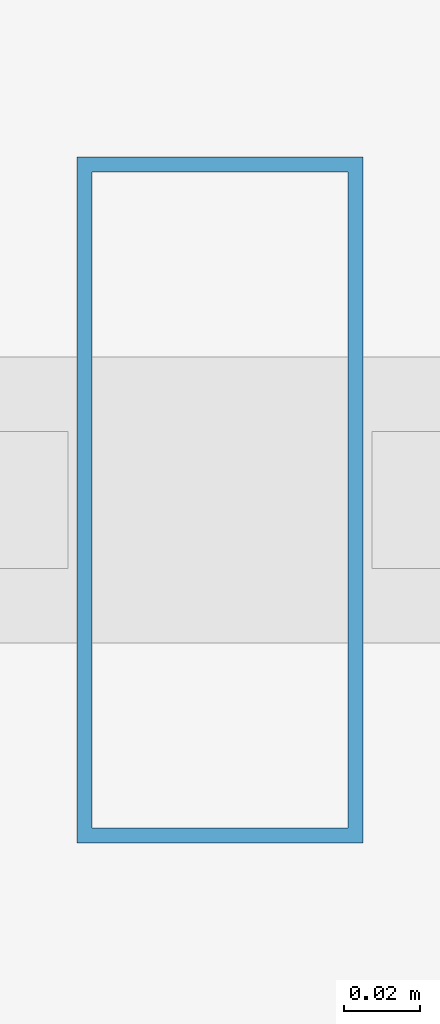
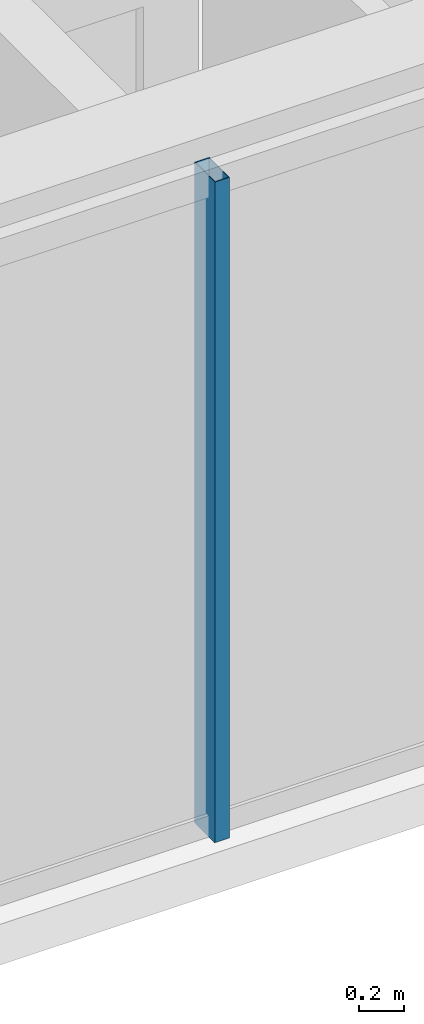
# One storey, part 3 of 32: 1 member, 1 element without a shape of its own.
"""IFC4 building model written with IfcOpenShell, lengths in metres."""

from ifc_helpers import new_model, si_unit, direction, frame, origin, origin_2d, place, context, subcontext, project, spatial, hollow_rectangle, extrude, material, layer, layer_set, material_profile, profile_set, type_object, element, aggregate, save


model = new_model("IFC4")

# Units and contexts
model_context = context("Model", 3, precision=1e-05, world=origin(), true_north=direction((0.0, 1.0)))
body_context = subcontext(model_context, "Body", "Model", "MODEL_VIEW")
ifc_project = project(units=[si_unit("LENGTHUNIT", "METRE"), si_unit("AREAUNIT", "SQUARE_METRE"), si_unit("VOLUMEUNIT", "CUBIC_METRE"), si_unit("PLANEANGLEUNIT", "RADIAN"), si_unit("MASSUNIT", "GRAM", prefix="KILO")], contexts=[model_context])

# Site, building, storey
site_placement = place(None, origin())
site = spatial("IfcSite", under=ifc_project, at=site_placement, CompositionType="ELEMENT")
building_placement = place(site_placement, origin())
building = spatial("IfcBuilding", under=site, at=building_placement, Name="Ndaravel Arena Tower", CompositionType="ELEMENT")
storey_placement = place(building_placement, frame((0.0, 0.0, 58.800048828125)))
storey = spatial("IfcBuildingStorey", under=building, at=storey_placement, Name="L12", CompositionType="ELEMENT", Elevation=58.800048828125)

# Curtain wall, member
ifc_material_1 = material(Name="Aluminium", Category="aluminium")
ifc_layer = layer(ifc_material_1, 0.179931640625)
ifc_layer_set = layer_set([ifc_layer], Name="Aluminium")
curtain_wall_type = type_object("IfcCurtainWallType", Name="CW-SYS-03", PredefinedType="NOTDEFINED", material=ifc_layer_set)
curtain_wall_placement = place(storey_placement, origin())
curtain_wall = element("IfcCurtainWall", 1, at=curtain_wall_placement, inside=storey, type_object=curtain_wall_type, Name="L12 Faceted Crystal Curtain Wall CW-L12-E01", PredefinedType="NOTDEFINED")
ifc_material_2 = material(Name="Aluminium", Category="aluminium")
ifc_material_profile = material_profile(ifc_material_2, hollow_rectangle(XDim=0.074951171875, YDim=0.179931640625, WallThickness=0.00390625, at=origin_2d()), Name="CW MULLION 75x180x4")
ifc_profile_set = profile_set([ifc_material_profile], Name="Aluminium")
member_type = type_object("IfcMemberType", Name="MEM-CW-MUL180", PredefinedType="MULLION", material=ifc_profile_set)
member_placement = place(storey_placement, frame((30.7607421875, 5.159912109375, 0.0), z_axis=(0.0, 0.0, 1.0), x_axis=(1.0, 0.0, 0.0)))
member = element("IfcMember", 2, at=member_placement, type_object=member_type, Name="CW-L12-E01 Mullion 01", PredefinedType="MULLION", context=body_context, shape_type="SweptSolid", body=[
    extrude(hollow_rectangle(XDim=0.074951171875, YDim=0.179931640625, WallThickness=0.00390625, at=origin_2d()), origin(), (0.0, 0.0, 1.0), 3.579833984375),
])
aggregate(curtain_wall, [member])

save(model, "model.ifc")
